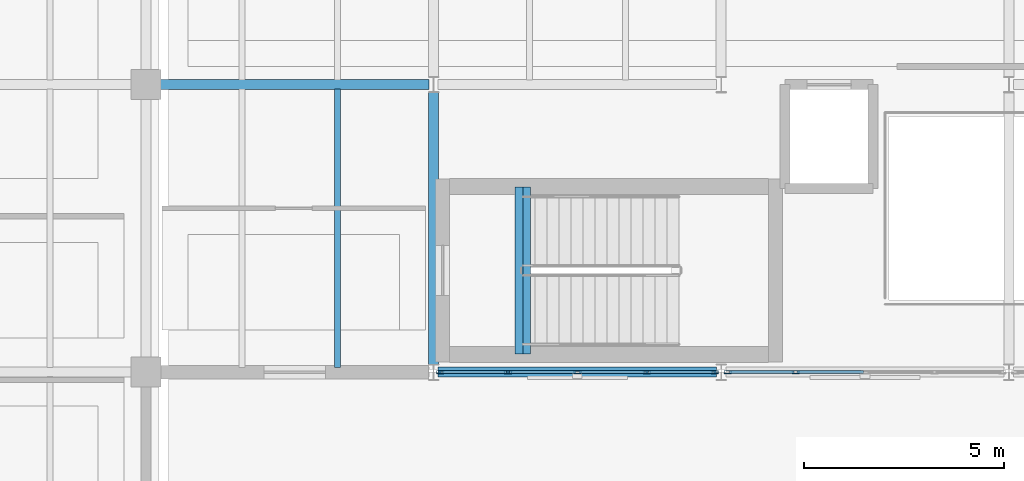
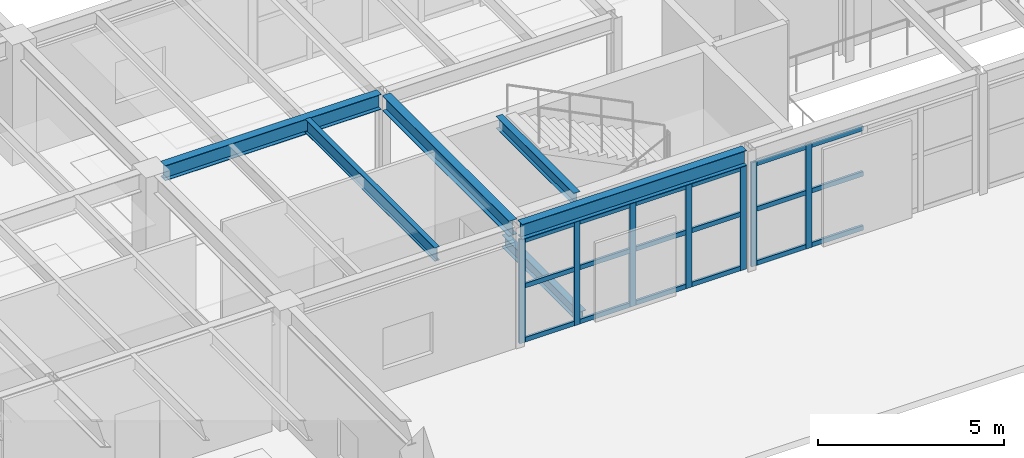
# One storey, part 12 of 37: 25 members, 6 beams, 2 elements without a shape of their own.
"""IFC4 building model written with IfcOpenShell, lengths in metres."""

from ifc_helpers import new_model, si_unit, direction, frame, origin, origin_2d, place, context, subcontext, project, spatial, hollow_rectangle, i_section, extrude, material, layer, layer_set, material_profile, profile_set, type_object, element, aggregate, save


model = new_model("IFC4")

# Units and contexts
model_context = context("Model", 3, precision=1e-05, world=origin(), true_north=direction((0.0, 1.0)))
body_context = subcontext(model_context, "Body", "Model", "MODEL_VIEW")
ifc_project = project(units=[si_unit("LENGTHUNIT", "METRE"), si_unit("AREAUNIT", "SQUARE_METRE"), si_unit("VOLUMEUNIT", "CUBIC_METRE"), si_unit("PLANEANGLEUNIT", "RADIAN"), si_unit("MASSUNIT", "GRAM", prefix="KILO")], contexts=[model_context])

# Site, building, storey
site_placement = place(None, origin())
site = spatial("IfcSite", under=ifc_project, at=site_placement, CompositionType="ELEMENT")
building_placement = place(site_placement, origin())
building = spatial("IfcBuilding", under=site, at=building_placement, Name="Kandorven Conservatory and Botanical Research Centre", CompositionType="ELEMENT")
storey_placement = place(building_placement, frame((0.0, 0.0, 9.0)))
storey = spatial("IfcBuildingStorey", under=building, at=storey_placement, Name="L02", CompositionType="ELEMENT", Elevation=9.0)

# Beams
ifc_material_1 = material(Name="Steel S355 (IS 2062 E350)", Category="steel")
ifc_material_profile_1 = material_profile(ifc_material_1, i_section(OverallWidth=0.25, OverallDepth=0.5, WebThickness=0.010009765625, FlangeThickness=0.0146484375, at=origin_2d()))
ifc_profile_set_1 = profile_set([ifc_material_profile_1], Name="Steel S355 (IS 2062 E350)")
beam_type_1 = type_object("IfcBeamType", Name="Beam_FG-02", PredefinedType="USERDEFINED", material=ifc_profile_set_1)
beam_1_placement = place(storey_placement, frame((49.31494140625, 13.199951171875, 3.7099609375), z_axis=(1.0, 0.0, 0.0), x_axis=(0.0, 1.0, 0.0)))
element("IfcBeam", 1, at=beam_1_placement, inside=storey, type_object=beam_type_1, Name="Primary girder FG-02 VIS L02", ObjectType="GIRDER", PredefinedType="USERDEFINED", context=body_context, shape_type="SweptSolid", body=[
    extrude(i_section(OverallWidth=0.25, OverallDepth=0.5, WebThickness=0.010009765625, FlangeThickness=0.0146484375, at=origin_2d()), origin(), (0.0, 0.0, 1.0), 6.969970703125),
])
beam_2_placement = place(storey_placement, frame((42.364990234375, 20.39990234375, 3.7099609375), z_axis=(1.0, 0.0, 0.0), x_axis=(0.0, 1.0, 0.0)))
element("IfcBeam", 2, at=beam_2_placement, inside=storey, type_object=beam_type_1, Name="Primary girder FG-02 VIS L02", ObjectType="GIRDER", PredefinedType="USERDEFINED", context=body_context, shape_type="SweptSolid", body=[
    extrude(i_section(OverallWidth=0.25, OverallDepth=0.5, WebThickness=0.010009765625, FlangeThickness=0.0146484375, at=origin_2d()), origin(), (0.0, 0.0, 1.0), 6.719970703125),
])
beam_3_placement = place(storey_placement, frame((49.199951171875, 13.389892578125, 3.7099609375), z_axis=(0.0, 1.0, 0.0), x_axis=(-1.0, 0.0, 0.0)))
element("IfcBeam", 3, at=beam_3_placement, inside=storey, type_object=beam_type_1, Name="Primary girder FG-02 VIS L02", ObjectType="GIRDER", PredefinedType="USERDEFINED", context=body_context, shape_type="SweptSolid", body=[
    extrude(i_section(OverallWidth=0.25, OverallDepth=0.5, WebThickness=0.010009765625, FlangeThickness=0.0146484375, at=origin_2d()), origin(), (0.0, 0.0, 1.0), 6.820068359375),
])
ifc_material_2 = material(Name="Steel S355 (IS 2062 E350)", Category="steel")
ifc_material_profile_2 = material_profile(ifc_material_2, i_section(OverallWidth=0.199951171875, OverallDepth=0.39990234375, WebThickness=0.008544921875, FlangeThickness=0.012939453125, at=origin_2d()))
ifc_profile_set_2 = profile_set([ifc_material_profile_2], Name="Steel S355 (IS 2062 E350)")
beam_type_2 = type_object("IfcBeamType", Name="Beam_FG-03", PredefinedType="USERDEFINED", material=ifc_profile_set_2)
for number, where, z_axis, x_axis, name in (
    (4, (51.52001953125, 13.64990234375, -0.199951171875), (0.0, 1.0, 0.0), (-1.0, 0.0, 0.0), "Stair well bottom trimmer girder FG-03 ST-V3A L02"),
    (5, (51.340087890625, 13.64990234375, 3.760009765625), (0.0, 1.0, 0.0), (-1.0, 0.0, 0.0), "Stair well top header girder FG-03 ST-V3A L02"),
):
    element("IfcBeam", number, at=place(storey_placement, frame(where, z_axis=z_axis, x_axis=x_axis)), inside=storey, type_object=beam_type_2, Name=name, ObjectType="GIRDER", PredefinedType="USERDEFINED", context=body_context, shape_type="SweptSolid", body=[
        extrude(i_section(OverallWidth=0.199951171875, OverallDepth=0.39990234375, WebThickness=0.008544921875, FlangeThickness=0.012939453125, at=origin_2d()), origin(), (0.0, 0.0, 1.0), 4.190185546875),
    ])
ifc_material_3 = material(Name="Steel S355 (IS 2062 E350)", Category="steel")
ifc_material_profile_3 = material_profile(ifc_material_3, i_section(OverallWidth=0.14990234375, OverallDepth=0.449951171875, WebThickness=0.009521484375, FlangeThickness=0.017333984375, at=origin_2d()))
ifc_profile_set_3 = profile_set([ifc_material_profile_3], Name="Steel S355 (IS 2062 E350)")
beam_type_3 = type_object("IfcBeamType", Name="Beam_SB-04", PredefinedType="BEAM", material=ifc_profile_set_3)
beam_4_placement = place(storey_placement, frame((46.800048828125, 13.31005859375, 3.735107421875), z_axis=(0.0, 1.0, 0.0), x_axis=(-1.0, 0.0, 0.0)))
element("IfcBeam", 6, at=beam_4_placement, inside=storey, type_object=beam_type_3, Name="Composite secondary beam SB-04 VIS L02", PredefinedType="BEAM", context=body_context, shape_type="SweptSolid", body=[
    extrude(i_section(OverallWidth=0.14990234375, OverallDepth=0.449951171875, WebThickness=0.009521484375, FlangeThickness=0.017333984375, at=origin_2d()), origin(), (0.0, 0.0, 1.0), 6.97998046875),
])

# Curtain wall, members
ifc_material_4 = material(Name="Bronze anodised thermally broken aluminium", Category="aluminium")
ifc_layer = layer(ifc_material_4, 0.179931640625)
ifc_layer_set = layer_set([ifc_layer], Name="Bronze anodised thermally broken aluminium")
curtain_wall_type = type_object("IfcCurtainWallType", Name="CW_Unitised", PredefinedType="USERDEFINED", material=ifc_layer_set)
curtain_wall_1_placement = place(storey_placement, origin())
curtain_wall_1 = element("IfcCurtainWall", 7, at=curtain_wall_1_placement, inside=storey, type_object=curtain_wall_type, Name="Visitor wing unitised curtain wall CW-VIS-S-L02-2", ObjectType="UNITISED GLAZING", PredefinedType="USERDEFINED")
ifc_material_5 = material(Name="Bronze anodised thermally broken aluminium", Category="aluminium")
ifc_material_profile_4 = material_profile(ifc_material_5, hollow_rectangle(XDim=0.080078125, YDim=0.179931640625, WallThickness=0.006103515625, at=origin_2d()))
ifc_profile_set_4 = profile_set([ifc_material_profile_4], Name="Bronze anodised thermally broken aluminium")
member_type_1 = type_object("IfcMemberType", Name="CW_Mullion", PredefinedType="MULLION", material=ifc_profile_set_4)
member_1_placement = place(storey_placement, frame((49.364990234375, 13.199951171875, 0.0), z_axis=(0.0, 0.0, 1.0), x_axis=(0.0, 1.0, 0.0)))
member_1 = element("IfcMember", 8, at=member_1_placement, type_object=member_type_1, Name="CW-01 mullion 1", PredefinedType="MULLION", context=body_context, shape_type="SweptSolid", body=[
    extrude(hollow_rectangle(XDim=0.080078125, YDim=0.179931640625, WallThickness=0.006103515625, at=origin_2d()), origin(), (0.0, 0.0, 1.0), 3.419921875),
])
member_2_placement = place(storey_placement, frame((51.0625, 13.199951171875, 0.0), z_axis=(0.0, 0.0, 1.0), x_axis=(0.0, 1.0, 0.0)))
member_2 = element("IfcMember", 9, at=member_2_placement, type_object=member_type_1, Name="CW-01 mullion 2", PredefinedType="MULLION", context=body_context, shape_type="SweptSolid", body=[
    extrude(hollow_rectangle(XDim=0.080078125, YDim=0.179931640625, WallThickness=0.006103515625, at=origin_2d()), origin(), (0.0, 0.0, 1.0), 3.419921875),
])
member_3_placement = place(storey_placement, frame((52.800048828125, 13.199951171875, 0.0), z_axis=(0.0, 0.0, 1.0), x_axis=(0.0, 1.0, 0.0)))
member_3 = element("IfcMember", 10, at=member_3_placement, type_object=member_type_1, Name="CW-01 mullion 3", PredefinedType="MULLION", context=body_context, shape_type="SweptSolid", body=[
    extrude(hollow_rectangle(XDim=0.080078125, YDim=0.179931640625, WallThickness=0.006103515625, at=origin_2d()), origin(), (0.0, 0.0, 1.0), 3.419921875),
])
member_4_placement = place(storey_placement, frame((54.53759765625, 13.199951171875, 0.0), z_axis=(0.0, 0.0, 1.0), x_axis=(0.0, 1.0, 0.0)))
member_4 = element("IfcMember", 11, at=member_4_placement, type_object=member_type_1, Name="CW-01 mullion 4", PredefinedType="MULLION", context=body_context, shape_type="SweptSolid", body=[
    extrude(hollow_rectangle(XDim=0.080078125, YDim=0.179931640625, WallThickness=0.006103515625, at=origin_2d()), origin(), (0.0, 0.0, 1.0), 3.419921875),
])
member_5_placement = place(storey_placement, frame((56.235107421875, 13.199951171875, 0.0), z_axis=(0.0, 0.0, 1.0), x_axis=(0.0, 1.0, 0.0)))
member_5 = element("IfcMember", 12, at=member_5_placement, type_object=member_type_1, Name="CW-01 mullion 5", PredefinedType="MULLION", context=body_context, shape_type="SweptSolid", body=[
    extrude(hollow_rectangle(XDim=0.080078125, YDim=0.179931640625, WallThickness=0.006103515625, at=origin_2d()), origin(), (0.0, 0.0, 1.0), 3.419921875),
])

curtain_wall_2_placement = place(storey_placement, origin())
curtain_wall_2 = element("IfcCurtainWall", 13, at=curtain_wall_2_placement, inside=storey, type_object=curtain_wall_type, Name="Visitor wing unitised curtain wall CW-VIS-S-L02-3", ObjectType="UNITISED GLAZING", PredefinedType="USERDEFINED")
member_6_placement = place(storey_placement, frame((56.56494140625, 13.199951171875, 0.0), z_axis=(0.0, 0.0, 1.0), x_axis=(0.0, 1.0, 0.0)))
member_6 = element("IfcMember", 14, at=member_6_placement, type_object=member_type_1, Name="CW-01 mullion 1", PredefinedType="MULLION", context=body_context, shape_type="SweptSolid", body=[
    extrude(hollow_rectangle(XDim=0.080078125, YDim=0.179931640625, WallThickness=0.006103515625, at=origin_2d()), origin(), (0.0, 0.0, 1.0), 3.419921875),
])
member_7_placement = place(storey_placement, frame((58.262451171875, 13.199951171875, 0.0), z_axis=(0.0, 0.0, 1.0), x_axis=(0.0, 1.0, 0.0)))
member_7 = element("IfcMember", 15, at=member_7_placement, type_object=member_type_1, Name="CW-01 mullion 2", PredefinedType="MULLION", context=body_context, shape_type="SweptSolid", body=[
    extrude(hollow_rectangle(XDim=0.080078125, YDim=0.179931640625, WallThickness=0.006103515625, at=origin_2d()), origin(), (0.0, 0.0, 1.0), 3.419921875),
])

# Member
ifc_material_6 = material(Name="Bronze anodised thermally broken aluminium", Category="aluminium")
ifc_material_profile_5 = material_profile(ifc_material_6, hollow_rectangle(XDim=0.074951171875, YDim=0.14990234375, WallThickness=0.006103515625, at=origin_2d()))
ifc_profile_set_5 = profile_set([ifc_material_profile_5], Name="Bronze anodised thermally broken aluminium")
member_type_2 = type_object("IfcMemberType", Name="CW_Transom", PredefinedType="USERDEFINED", material=ifc_profile_set_5)
member_8_placement = place(storey_placement, frame((49.405029296875, 13.199951171875, 0.074951171875), z_axis=(1.0, 0.0, 0.0), x_axis=(0.0, 1.0, 0.0)))
member_8 = element("IfcMember", 16, at=member_8_placement, type_object=member_type_2, Name="CW-01 transom 1.1", ObjectType="TRANSOM", PredefinedType="USERDEFINED", context=body_context, shape_type="SweptSolid", body=[
    extrude(hollow_rectangle(XDim=0.074951171875, YDim=0.14990234375, WallThickness=0.006103515625, at=origin_2d()), origin(), (0.0, 0.0, 1.0), 1.617431640625),
])

member_9_placement = place(storey_placement, frame((49.405029296875, 13.199951171875, 1.85009765625), z_axis=(1.0, 0.0, 0.0), x_axis=(0.0, 1.0, 0.0)))
member_9 = element("IfcMember", 17, at=member_9_placement, type_object=member_type_2, Name="CW-01 transom 1.2", ObjectType="TRANSOM", PredefinedType="USERDEFINED", context=body_context, shape_type="SweptSolid", body=[
    extrude(hollow_rectangle(XDim=0.074951171875, YDim=0.14990234375, WallThickness=0.006103515625, at=origin_2d()), origin(), (0.0, 0.0, 1.0), 1.617431640625),
])

member_10_placement = place(storey_placement, frame((49.405029296875, 13.199951171875, 3.344970703125), z_axis=(1.0, 0.0, 0.0), x_axis=(0.0, 1.0, 0.0)))
member_10 = element("IfcMember", 18, at=member_10_placement, type_object=member_type_2, Name="CW-01 transom 1.3", ObjectType="TRANSOM", PredefinedType="USERDEFINED", context=body_context, shape_type="SweptSolid", body=[
    extrude(hollow_rectangle(XDim=0.074951171875, YDim=0.14990234375, WallThickness=0.006103515625, at=origin_2d()), origin(), (0.0, 0.0, 1.0), 1.617431640625),
])

member_11_placement = place(storey_placement, frame((51.1025390625, 13.199951171875, 0.074951171875), z_axis=(1.0, 0.0, 0.0), x_axis=(0.0, 1.0, 0.0)))
member_11 = element("IfcMember", 19, at=member_11_placement, type_object=member_type_2, Name="CW-01 transom 2.1", ObjectType="TRANSOM", PredefinedType="USERDEFINED", context=body_context, shape_type="SweptSolid", body=[
    extrude(hollow_rectangle(XDim=0.074951171875, YDim=0.14990234375, WallThickness=0.006103515625, at=origin_2d()), origin(), (0.0, 0.0, 1.0), 1.657470703125),
])

member_12_placement = place(storey_placement, frame((51.1025390625, 13.199951171875, 1.85009765625), z_axis=(1.0, 0.0, 0.0), x_axis=(0.0, 1.0, 0.0)))
member_12 = element("IfcMember", 20, at=member_12_placement, type_object=member_type_2, Name="CW-01 transom 2.2", ObjectType="TRANSOM", PredefinedType="USERDEFINED", context=body_context, shape_type="SweptSolid", body=[
    extrude(hollow_rectangle(XDim=0.074951171875, YDim=0.14990234375, WallThickness=0.006103515625, at=origin_2d()), origin(), (0.0, 0.0, 1.0), 1.657470703125),
])

member_13_placement = place(storey_placement, frame((51.1025390625, 13.199951171875, 3.344970703125), z_axis=(1.0, 0.0, 0.0), x_axis=(0.0, 1.0, 0.0)))
member_13 = element("IfcMember", 21, at=member_13_placement, type_object=member_type_2, Name="CW-01 transom 2.3", ObjectType="TRANSOM", PredefinedType="USERDEFINED", context=body_context, shape_type="SweptSolid", body=[
    extrude(hollow_rectangle(XDim=0.074951171875, YDim=0.14990234375, WallThickness=0.006103515625, at=origin_2d()), origin(), (0.0, 0.0, 1.0), 1.657470703125),
])

member_14_placement = place(storey_placement, frame((52.840087890625, 13.199951171875, 0.074951171875), z_axis=(1.0, 0.0, 0.0), x_axis=(0.0, 1.0, 0.0)))
member_14 = element("IfcMember", 22, at=member_14_placement, type_object=member_type_2, Name="CW-01 transom 3.1", ObjectType="TRANSOM", PredefinedType="USERDEFINED", context=body_context, shape_type="SweptSolid", body=[
    extrude(hollow_rectangle(XDim=0.074951171875, YDim=0.14990234375, WallThickness=0.006103515625, at=origin_2d()), origin(), (0.0, 0.0, 1.0), 1.657470703125),
])

member_15_placement = place(storey_placement, frame((52.840087890625, 13.199951171875, 1.85009765625), z_axis=(1.0, 0.0, 0.0), x_axis=(0.0, 1.0, 0.0)))
member_15 = element("IfcMember", 23, at=member_15_placement, type_object=member_type_2, Name="CW-01 transom 3.2", ObjectType="TRANSOM", PredefinedType="USERDEFINED", context=body_context, shape_type="SweptSolid", body=[
    extrude(hollow_rectangle(XDim=0.074951171875, YDim=0.14990234375, WallThickness=0.006103515625, at=origin_2d()), origin(), (0.0, 0.0, 1.0), 1.657470703125),
])

member_16_placement = place(storey_placement, frame((52.840087890625, 13.199951171875, 3.344970703125), z_axis=(1.0, 0.0, 0.0), x_axis=(0.0, 1.0, 0.0)))
member_16 = element("IfcMember", 24, at=member_16_placement, type_object=member_type_2, Name="CW-01 transom 3.3", ObjectType="TRANSOM", PredefinedType="USERDEFINED", context=body_context, shape_type="SweptSolid", body=[
    extrude(hollow_rectangle(XDim=0.074951171875, YDim=0.14990234375, WallThickness=0.006103515625, at=origin_2d()), origin(), (0.0, 0.0, 1.0), 1.657470703125),
])

member_17_placement = place(storey_placement, frame((54.577392578125, 13.199951171875, 0.074951171875), z_axis=(1.0, 0.0, 0.0), x_axis=(0.0, 1.0, 0.0)))
member_17 = element("IfcMember", 25, at=member_17_placement, type_object=member_type_2, Name="CW-01 transom 4.1", ObjectType="TRANSOM", PredefinedType="USERDEFINED", context=body_context, shape_type="SweptSolid", body=[
    extrude(hollow_rectangle(XDim=0.074951171875, YDim=0.14990234375, WallThickness=0.006103515625, at=origin_2d()), origin(), (0.0, 0.0, 1.0), 1.61767578125),
])

member_18_placement = place(storey_placement, frame((54.577392578125, 13.199951171875, 1.85009765625), z_axis=(1.0, 0.0, 0.0), x_axis=(0.0, 1.0, 0.0)))
member_18 = element("IfcMember", 26, at=member_18_placement, type_object=member_type_2, Name="CW-01 transom 4.2", ObjectType="TRANSOM", PredefinedType="USERDEFINED", context=body_context, shape_type="SweptSolid", body=[
    extrude(hollow_rectangle(XDim=0.074951171875, YDim=0.14990234375, WallThickness=0.006103515625, at=origin_2d()), origin(), (0.0, 0.0, 1.0), 1.61767578125),
])

member_19_placement = place(storey_placement, frame((54.577392578125, 13.199951171875, 3.344970703125), z_axis=(1.0, 0.0, 0.0), x_axis=(0.0, 1.0, 0.0)))
member_19 = element("IfcMember", 27, at=member_19_placement, type_object=member_type_2, Name="CW-01 transom 4.3", ObjectType="TRANSOM", PredefinedType="USERDEFINED", context=body_context, shape_type="SweptSolid", body=[
    extrude(hollow_rectangle(XDim=0.074951171875, YDim=0.14990234375, WallThickness=0.006103515625, at=origin_2d()), origin(), (0.0, 0.0, 1.0), 1.61767578125),
])

aggregate(curtain_wall_1, [member_1, member_2, member_3, member_4, member_5, member_8, member_9, member_10, member_11, member_12, member_13, member_14, member_15, member_16, member_17, member_18, member_19])

member_20_placement = place(storey_placement, frame((56.60498046875, 13.199951171875, 0.074951171875), z_axis=(1.0, 0.0, 0.0), x_axis=(0.0, 1.0, 0.0)))
member_20 = element("IfcMember", 28, at=member_20_placement, type_object=member_type_2, Name="CW-01 transom 1.1", ObjectType="TRANSOM", PredefinedType="USERDEFINED", context=body_context, shape_type="SweptSolid", body=[
    extrude(hollow_rectangle(XDim=0.074951171875, YDim=0.14990234375, WallThickness=0.006103515625, at=origin_2d()), origin(), (0.0, 0.0, 1.0), 1.617431640625),
])

member_21_placement = place(storey_placement, frame((56.60498046875, 13.199951171875, 1.85009765625), z_axis=(1.0, 0.0, 0.0), x_axis=(0.0, 1.0, 0.0)))
member_21 = element("IfcMember", 29, at=member_21_placement, type_object=member_type_2, Name="CW-01 transom 1.2", ObjectType="TRANSOM", PredefinedType="USERDEFINED", context=body_context, shape_type="SweptSolid", body=[
    extrude(hollow_rectangle(XDim=0.074951171875, YDim=0.14990234375, WallThickness=0.006103515625, at=origin_2d()), origin(), (0.0, 0.0, 1.0), 1.617431640625),
])

member_22_placement = place(storey_placement, frame((56.60498046875, 13.199951171875, 3.344970703125), z_axis=(1.0, 0.0, 0.0), x_axis=(0.0, 1.0, 0.0)))
member_22 = element("IfcMember", 30, at=member_22_placement, type_object=member_type_2, Name="CW-01 transom 1.3", ObjectType="TRANSOM", PredefinedType="USERDEFINED", context=body_context, shape_type="SweptSolid", body=[
    extrude(hollow_rectangle(XDim=0.074951171875, YDim=0.14990234375, WallThickness=0.006103515625, at=origin_2d()), origin(), (0.0, 0.0, 1.0), 1.617431640625),
])

member_23_placement = place(storey_placement, frame((58.302490234375, 13.199951171875, 0.074951171875), z_axis=(1.0, 0.0, 0.0), x_axis=(0.0, 1.0, 0.0)))
member_23 = element("IfcMember", 31, at=member_23_placement, type_object=member_type_2, Name="CW-01 transom 2.1", ObjectType="TRANSOM", PredefinedType="USERDEFINED", context=body_context, shape_type="SweptSolid", body=[
    extrude(hollow_rectangle(XDim=0.074951171875, YDim=0.14990234375, WallThickness=0.006103515625, at=origin_2d()), origin(), (0.0, 0.0, 1.0), 1.657470703125),
])

member_24_placement = place(storey_placement, frame((58.302490234375, 13.199951171875, 1.85009765625), z_axis=(1.0, 0.0, 0.0), x_axis=(0.0, 1.0, 0.0)))
member_24 = element("IfcMember", 32, at=member_24_placement, type_object=member_type_2, Name="CW-01 transom 2.2", ObjectType="TRANSOM", PredefinedType="USERDEFINED", context=body_context, shape_type="SweptSolid", body=[
    extrude(hollow_rectangle(XDim=0.074951171875, YDim=0.14990234375, WallThickness=0.006103515625, at=origin_2d()), origin(), (0.0, 0.0, 1.0), 1.657470703125),
])

member_25_placement = place(storey_placement, frame((58.302490234375, 13.199951171875, 3.344970703125), z_axis=(1.0, 0.0, 0.0), x_axis=(0.0, 1.0, 0.0)))
member_25 = element("IfcMember", 33, at=member_25_placement, type_object=member_type_2, Name="CW-01 transom 2.3", ObjectType="TRANSOM", PredefinedType="USERDEFINED", context=body_context, shape_type="SweptSolid", body=[
    extrude(hollow_rectangle(XDim=0.074951171875, YDim=0.14990234375, WallThickness=0.006103515625, at=origin_2d()), origin(), (0.0, 0.0, 1.0), 1.657470703125),
])

aggregate(curtain_wall_2, [member_6, member_7, member_20, member_21, member_22, member_23, member_24, member_25])

save(model, "model.ifc")
